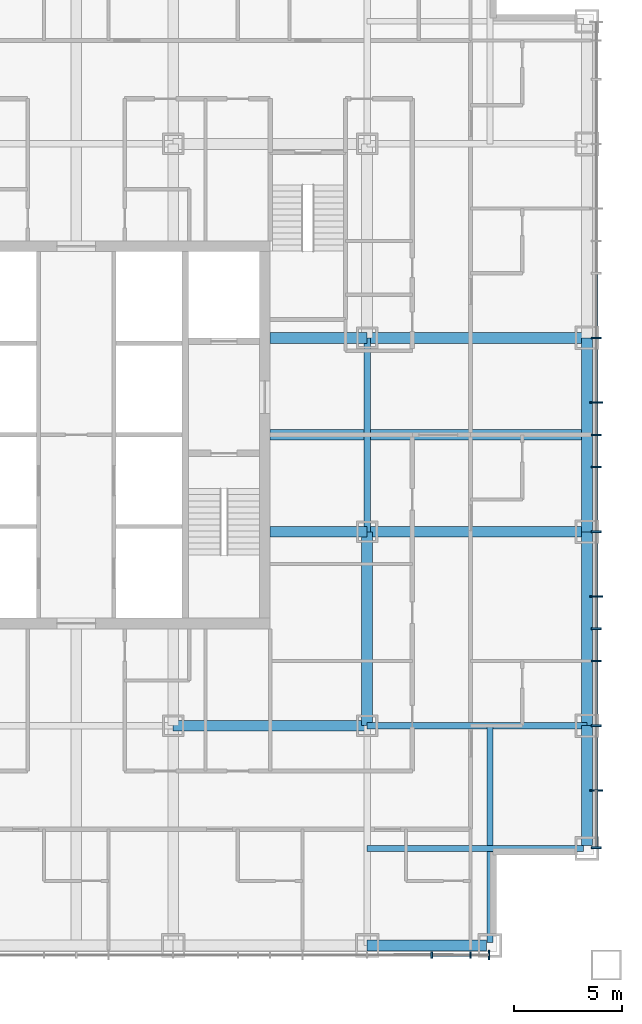
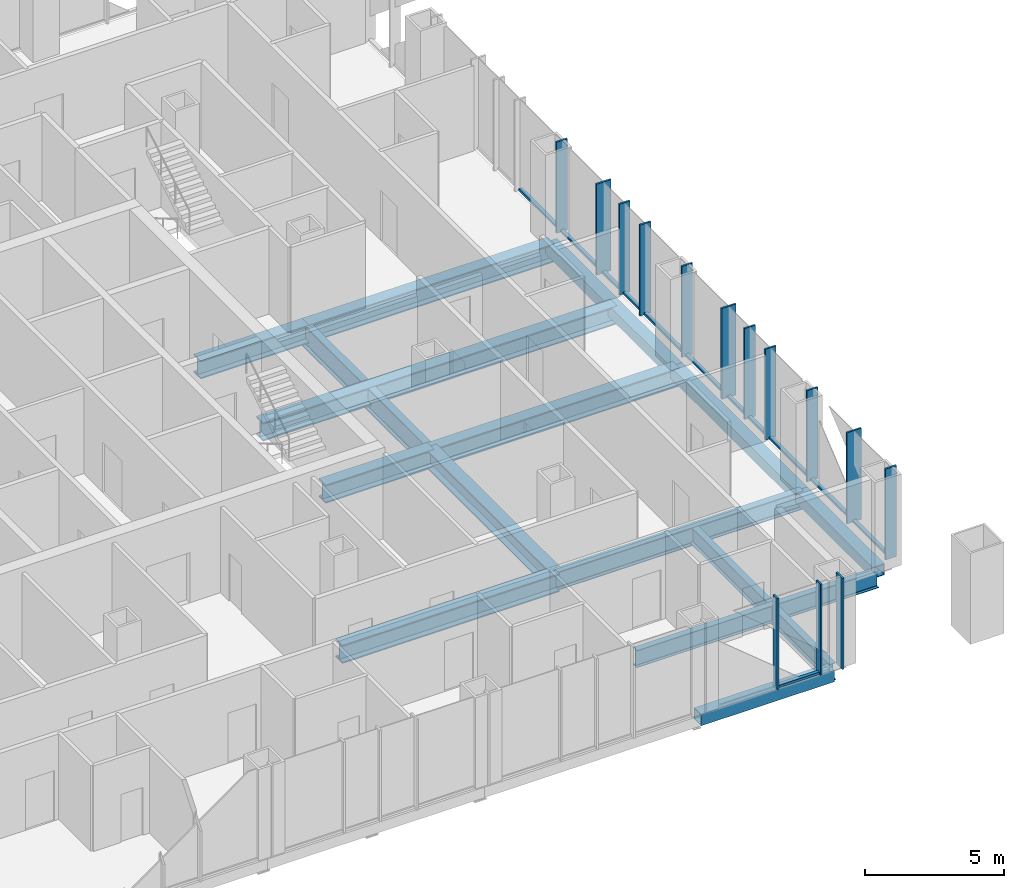
# One storey, part 4 of 13: 26 members, 15 beams, 2 elements without a shape of their own.
"""IFC4 building model written with IfcOpenShell, lengths in metres."""

import ifcopenshell
import ifcopenshell.guid

model = None  # the IFC model being written
_history = None  # IfcOwnerHistory: only IFC2X3 demands one
_inside = {}  # id of a spatial element -> (the spatial element, [elements in it])
_under = {}  # id of a project, library or spatial element -> (it, [spatial elements below it])
_declared = {}  # id of a project -> (the project, [libraries it declares])
_typed = {}  # id of a type object -> (the type object, [elements of that type])
_made_of = {}  # id of a material, layer set ... -> (it, [elements and type objects made of it])


def new_model(schema):
    """Start an empty IFC model of exactly this schema.

    Asked for "IFC4X3", IfcOpenShell would pick the latest addendum, in which some entities
    have other attributes; the version numbers below select the first issue.
    IFC2X3 requires an IfcOwnerHistory on every rooted entity: one is made here for all.
    """
    global model, _history
    if schema == "IFC4X3":
        model = ifcopenshell.file(schema_version=(4, 3, 0, 0))
    else:
        model = ifcopenshell.file(schema=schema)
    _inside.clear()
    _under.clear()
    _declared.clear()
    _typed.clear()
    _made_of.clear()
    _history = None
    if model.schema == "IFC2X3":
        org = make("IfcOrganization", Name="unknown")
        user = make(
            "IfcPersonAndOrganization",
            ThePerson=make("IfcPerson", FamilyName="unknown"),
            TheOrganization=org,
        )
        app = make(
            "IfcApplication",
            ApplicationDeveloper=org,
            Version="unknown",
            ApplicationFullName="unknown",
            ApplicationIdentifier="unknown",
        )
        _history = make(
            "IfcOwnerHistory",
            OwningUser=user,
            OwningApplication=app,
            ChangeAction="ADDED",
            CreationDate=0,
        )
    return model


def make(cls, **values):
    """One entity of the class cls with the attributes given. An attribute that is None is left unset."""
    return model.create_entity(
        cls, **{name: value for name, value in values.items() if value is not None}
    )


def rooted(cls, **values):
    """An entity with a GlobalId (a new one), such as an element, a storey or a relation."""
    return make(cls, GlobalId=ifcopenshell.guid.new(), OwnerHistory=_history, **values)


def si_unit(unit_type, name, prefix=None):
    """IfcSIUnit, for example si_unit("LENGTHUNIT", "METRE", prefix="MILLI")."""
    return make("IfcSIUnit", UnitType=unit_type, Prefix=prefix, Name=name)


def assignment(units):
    """IfcUnitAssignment: the units of a project."""
    return None if units is None else make("IfcUnitAssignment", Units=units)


def point(xyz):
    """IfcCartesianPoint."""
    return None if xyz is None else make("IfcCartesianPoint", Coordinates=xyz)


def direction(xyz):
    """IfcDirection."""
    return None if xyz is None else make("IfcDirection", DirectionRatios=xyz)


def frame(location, z_axis=None, x_axis=None):
    """IfcAxis2Placement3D, a coordinate frame: its origin and axes. An axis left out is left unset."""
    return make(
        "IfcAxis2Placement3D",
        Location=point(location),
        Axis=direction(z_axis),
        RefDirection=direction(x_axis),
    )


def frame_2d(location, x_axis=None):
    """IfcAxis2Placement2D, a coordinate frame in the plane: its origin and x axis."""
    return make(
        "IfcAxis2Placement2D", Location=point(location), RefDirection=direction(x_axis)
    )


def origin():
    """The frame at (0, 0, 0) with its axes left unset."""
    return frame((0.0, 0.0, 0.0))


def origin_2d():
    """The frame at (0, 0) in the plane with its x axis left unset."""
    return frame_2d((0.0, 0.0))


def place(relative_to, where):
    """IfcLocalPlacement: puts the frame where relative to a parent placement (None: the world)."""
    return make(
        "IfcLocalPlacement", PlacementRelTo=relative_to, RelativePlacement=where
    )


def context(
    kind, dimensions, precision=None, world=None, true_north=None, identifier=None
):
    """IfcGeometricRepresentationContext, for example the 3D "Model" context."""
    return make(
        "IfcGeometricRepresentationContext",
        ContextIdentifier=identifier,
        ContextType=kind,
        CoordinateSpaceDimension=dimensions,
        Precision=precision,
        WorldCoordinateSystem=world,
        TrueNorth=true_north,
    )


def subcontext(parent, identifier, kind, view, scale=None):
    """IfcGeometricRepresentationSubContext, for example "Body" below "Model"."""
    return make(
        "IfcGeometricRepresentationSubContext",
        ContextIdentifier=identifier,
        ContextType=kind,
        ParentContext=parent,
        TargetScale=scale,
        TargetView=view,
    )


def project(units=None, contexts=None):
    """IfcProject with its units and contexts."""
    return rooted(
        "IfcProject",
        Name="project",
        RepresentationContexts=contexts,
        UnitsInContext=assignment(units),
    )


def spatial(cls, under=None, at=None, **own):
    """A site, building, storey or space (cls), placed at a placement, below another one or the project."""
    s = rooted(cls, ObjectPlacement=at, **own)
    if under is not None:
        _under.setdefault(under.id(), (under, []))[1].append(s)
    return s


def profile(cls, at=None, kind="AREA", **sizes):
    """A parametric profile (cls). Its sizes go by their IFC names, for example OverallWidth=200.0."""
    return make(cls, ProfileType=kind, Position=at, **sizes)


def rectangle(**sizes):
    """IfcRectangleProfileDef."""
    return profile("IfcRectangleProfileDef", **sizes)


def hollow_rectangle(**sizes):
    """IfcRectangleHollowProfileDef."""
    return profile("IfcRectangleHollowProfileDef", **sizes)


def i_section(**sizes):
    """IfcIShapeProfileDef."""
    return profile("IfcIShapeProfileDef", **sizes)


def extrude(swept, where, along, depth):
    """IfcExtrudedAreaSolid: the profile swept, set in the frame where, extruded along a direction by depth."""
    return make(
        "IfcExtrudedAreaSolid",
        SweptArea=swept,
        Position=where,
        ExtrudedDirection=direction(along),
        Depth=depth,
    )


def shape(context_of_items, identifier, shape_type, items):
    """IfcShapeRepresentation: the items that make up one representation, for example the "Body"."""
    return make(
        "IfcShapeRepresentation",
        ContextOfItems=context_of_items,
        RepresentationIdentifier=identifier,
        RepresentationType=shape_type,
        Items=items,
    )


def material(Name=None, Category=None):
    """IfcMaterial."""
    return make("IfcMaterial", Name=Name, Category=Category)


def layer(
    of_material, thickness, ventilated=None, Name=None, Category=None, Priority=None
):
    """IfcMaterialLayer: one layer of a wall or slab, of a material (None: an air gap)."""
    return make(
        "IfcMaterialLayer",
        Material=of_material,
        LayerThickness=thickness,
        IsVentilated=ventilated,
        Name=Name,
        Category=Category,
        Priority=Priority,
    )


def layer_set(layers, Name=None):
    """IfcMaterialLayerSet."""
    return make("IfcMaterialLayerSet", MaterialLayers=layers, LayerSetName=Name)


def material_profile(
    of_material, cross_section, Name=None, Category=None, Priority=None
):
    """IfcMaterialProfile: a cross section and its material."""
    return make(
        "IfcMaterialProfile",
        Name=Name,
        Material=of_material,
        Profile=cross_section,
        Priority=Priority,
        Category=Category,
    )


def profile_set(profiles, Name=None, composite=None):
    """IfcMaterialProfileSet."""
    return make(
        "IfcMaterialProfileSet",
        Name=Name,
        MaterialProfiles=profiles,
        CompositeProfile=composite,
    )


def made_of(thing, what):
    """Note that an element or type object is made of a material, layer set ...; save() writes the relation."""
    if what is not None:
        _made_of.setdefault(what.id(), (what, []))[1].append(thing)
    return thing


def type_object(cls, material=None, **own):
    """A type object (cls), such as IfcWallType, which elements share."""
    return made_of(rooted(cls, **own), material)


def element(
    cls,
    number,
    at=None,
    inside=None,
    cuts=None,
    type_object=None,
    material=None,
    context=None,
    identifier="Body",
    shape_type=None,
    held_by="IfcProductDefinitionShape",
    body=None,
    shapes=None,
    **own,
):
    """One element of the class cls, such as IfcWall. Its Tag is "e" and its number.

    at: its placement. inside: the storey or other place that contains it. cuts: it is an
    opening in that element (IfcRelVoidsElement). A single representation is given by context,
    identifier, shape_type and body (its items); several are given by shapes. held_by: the class
    of the entity that holds the representations. save() writes the other relations.
    """
    e = rooted(cls, Tag="e%d" % number, ObjectPlacement=at, **own)
    if body is not None:
        shapes = [shape(context, identifier, shape_type, body)]
    if shapes is not None:
        e.Representation = make(held_by, Representations=shapes)
    if inside is not None:
        _inside.setdefault(inside.id(), (inside, []))[1].append(e)
    if cuts is not None:
        rooted(
            "IfcRelVoidsElement", RelatingBuildingElement=cuts, RelatedOpeningElement=e
        )
    if type_object is not None:
        _typed.setdefault(type_object.id(), (type_object, []))[1].append(e)
    return made_of(e, material)


def aggregate(whole, parts):
    """IfcRelAggregates: a whole, such as a stair, and the parts it consists of."""
    return rooted("IfcRelAggregates", RelatingObject=whole, RelatedObjects=parts)


def save(model, path):
    """Write the relations noted so far, then the file.

    IfcRelAggregates (storeys below a building ...), IfcRelContainedInSpatialStructure (elements
    in a storey), IfcRelDefinesByType, IfcRelAssociatesMaterial and IfcRelDeclares: one each for
    every whole, place, type object, material and project.
    """
    for whole, parts in _under.values():
        aggregate(whole, parts)
    for where, things in _inside.values():
        rooted(
            "IfcRelContainedInSpatialStructure",
            RelatedElements=things,
            RelatingStructure=where,
        )
    for kind, things in _typed.values():
        rooted("IfcRelDefinesByType", RelatedObjects=things, RelatingType=kind)
    for what, things in _made_of.values():
        rooted("IfcRelAssociatesMaterial", RelatedObjects=things, RelatingMaterial=what)
    for by, libraries in _declared.values():
        rooted("IfcRelDeclares", RelatingContext=by, RelatedDefinitions=libraries)
    model.write(path)


model = new_model("IFC4")

# Units and contexts
model_context = context("Model", 3, precision=1e-05, world=origin(), true_north=direction((0.0, 1.0)))
body_context = subcontext(model_context, "Body", "Model", "MODEL_VIEW")
ifc_project = project(units=[si_unit("LENGTHUNIT", "METRE"), si_unit("AREAUNIT", "SQUARE_METRE"), si_unit("VOLUMEUNIT", "CUBIC_METRE"), si_unit("PLANEANGLEUNIT", "RADIAN"), si_unit("MASSUNIT", "GRAM", prefix="KILO")], contexts=[model_context])

# Site, building, storey
site_placement = place(None, origin())
site = spatial("IfcSite", under=ifc_project, at=site_placement, CompositionType="ELEMENT")
building_placement = place(site_placement, origin())
building = spatial("IfcBuilding", under=site, at=building_placement, Name="Malebo Sky Hospital", CompositionType="ELEMENT")
storey_placement = place(building_placement, frame((0.0, 0.0, 104.0)))
storey = spatial("IfcBuildingStorey", under=building, at=storey_placement, Name="L24", CompositionType="ELEMENT", Elevation=104.0)

# Curtain wall, member
ifc_material_1 = material(Name="Anodised aluminium, natural silver", Category="aluminium")
ifc_layer_1 = layer(ifc_material_1, 0.25)
ifc_layer_set_1 = layer_set([ifc_layer_1], Name="WARD CURTAIN WALL NORTH AND SOUTH")
curtain_wall_type_1 = type_object("IfcCurtainWallType", Name="WARD CURTAIN WALL NORTH AND SOUTH", PredefinedType="NOTDEFINED", material=ifc_layer_set_1)
curtain_wall_1_placement = place(storey_placement, origin())
curtain_wall_1 = element("IfcCurtainWall", 1, at=curtain_wall_1_placement, inside=storey, type_object=curtain_wall_type_1, Name="NS curtain wall S", PredefinedType="NOTDEFINED")
ifc_material_profile_1 = material_profile(ifc_material_1, rectangle(XDim=0.14990234375, YDim=0.10009765625, at=origin_2d()), Name="ALUMINIUM TRANSOM 150x100")
ifc_profile_set_1 = profile_set([ifc_material_profile_1], Name="Anodised aluminium, natural silver")
member_type_1 = type_object("IfcMemberType", Name="ALUMINIUM TRANSOM 150x100", PredefinedType="USERDEFINED", material=ifc_profile_set_1)
member_1_placement = place(storey_placement, frame((78.262451171875, 37.864990234375, 0.050048828125), z_axis=(-1.0, 0.0, 0.0), x_axis=(0.0, -1.0, 0.0)))
member_1 = element("IfcMember", 2, at=member_1_placement, type_object=member_type_1, Name="Transom 2", ObjectType="TRANSOM", PredefinedType="USERDEFINED", context=body_context, shape_type="SweptSolid", body=[
    extrude(rectangle(XDim=0.14990234375, YDim=0.10009765625, at=origin_2d()), origin(), (0.0, 0.0, 1.0), 1.724853515625),
])

# Curtain wall, members
ifc_layer_2 = layer(ifc_material_1, 0.25)
ifc_layer_set_2 = layer_set([ifc_layer_2], Name="WARD CURTAIN WALL EAST AND WEST")
curtain_wall_type_2 = type_object("IfcCurtainWallType", Name="WARD CURTAIN WALL EAST AND WEST", PredefinedType="NOTDEFINED", material=ifc_layer_set_2)
curtain_wall_2_placement = place(storey_placement, origin())
curtain_wall_2 = element("IfcCurtainWall", 3, at=curtain_wall_2_placement, inside=storey, type_object=curtain_wall_type_2, Name="EW curtain wall E", PredefinedType="NOTDEFINED")
member_2_placement = place(storey_placement, frame((84.135009765625, 69.46240234375, 0.050048828125), z_axis=(0.0, -1.0, 0.0), x_axis=(1.0, 0.0, 0.0)))
member_2 = element("IfcMember", 4, at=member_2_placement, type_object=member_type_1, Name="Transom 7", ObjectType="TRANSOM", PredefinedType="USERDEFINED", context=body_context, shape_type="SweptSolid", body=[
    extrude(rectangle(XDim=0.14990234375, YDim=0.10009765625, at=origin_2d()), origin(), (0.0, 0.0, 1.0), 2.9248046875),
])
member_3_placement = place(storey_placement, frame((84.135009765625, 66.46240234375, 0.050048828125), z_axis=(0.0, -1.0, 0.0), x_axis=(1.0, 0.0, 0.0)))
member_3 = element("IfcMember", 5, at=member_3_placement, type_object=member_type_1, Name="Transom 8", ObjectType="TRANSOM", PredefinedType="USERDEFINED", context=body_context, shape_type="SweptSolid", body=[
    extrude(rectangle(XDim=0.14990234375, YDim=0.10009765625, at=origin_2d()), origin(), (0.0, 0.0, 1.0), 2.9248046875),
])
member_4_placement = place(storey_placement, frame((84.135009765625, 63.46240234375, 0.050048828125), z_axis=(0.0, -1.0, 0.0), x_axis=(1.0, 0.0, 0.0)))
member_4 = element("IfcMember", 6, at=member_4_placement, type_object=member_type_1, Name="Transom 9", ObjectType="TRANSOM", PredefinedType="USERDEFINED", context=body_context, shape_type="SweptSolid", body=[
    extrude(rectangle(XDim=0.14990234375, YDim=0.10009765625, at=origin_2d()), origin(), (0.0, 0.0, 1.0), 1.4248046875),
])
member_5_placement = place(storey_placement, frame((84.135009765625, 61.96240234375, 0.050048828125), z_axis=(0.0, -1.0, 0.0), x_axis=(1.0, 0.0, 0.0)))
member_5 = element("IfcMember", 7, at=member_5_placement, type_object=member_type_1, Name="Transom 10", ObjectType="TRANSOM", PredefinedType="USERDEFINED", context=body_context, shape_type="SweptSolid", body=[
    extrude(rectangle(XDim=0.14990234375, YDim=0.10009765625, at=origin_2d()), origin(), (0.0, 0.0, 1.0), 1.4248046875),
])
member_6_placement = place(storey_placement, frame((84.135009765625, 60.46240234375, 0.050048828125), z_axis=(0.0, -1.0, 0.0), x_axis=(1.0, 0.0, 0.0)))
member_6 = element("IfcMember", 8, at=member_6_placement, type_object=member_type_1, Name="Transom 11", ObjectType="TRANSOM", PredefinedType="USERDEFINED", context=body_context, shape_type="SweptSolid", body=[
    extrude(rectangle(XDim=0.14990234375, YDim=0.10009765625, at=origin_2d()), origin(), (0.0, 0.0, 1.0), 2.9248046875),
])
member_7_placement = place(storey_placement, frame((84.135009765625, 57.46240234375, 0.050048828125), z_axis=(0.0, -1.0, 0.0), x_axis=(1.0, 0.0, 0.0)))
member_7 = element("IfcMember", 9, at=member_7_placement, type_object=member_type_1, Name="Transom 12", ObjectType="TRANSOM", PredefinedType="USERDEFINED", context=body_context, shape_type="SweptSolid", body=[
    extrude(rectangle(XDim=0.14990234375, YDim=0.10009765625, at=origin_2d()), origin(), (0.0, 0.0, 1.0), 2.9248046875),
])
member_8_placement = place(storey_placement, frame((84.135009765625, 54.46240234375, 0.050048828125), z_axis=(0.0, -1.0, 0.0), x_axis=(1.0, 0.0, 0.0)))
member_8 = element("IfcMember", 10, at=member_8_placement, type_object=member_type_1, Name="Transom 13", ObjectType="TRANSOM", PredefinedType="USERDEFINED", context=body_context, shape_type="SweptSolid", body=[
    extrude(rectangle(XDim=0.14990234375, YDim=0.10009765625, at=origin_2d()), origin(), (0.0, 0.0, 1.0), 1.4248046875),
])
member_9_placement = place(storey_placement, frame((84.135009765625, 52.96240234375, 0.050048828125), z_axis=(0.0, -1.0, 0.0), x_axis=(1.0, 0.0, 0.0)))
member_9 = element("IfcMember", 11, at=member_9_placement, type_object=member_type_1, Name="Transom 14", ObjectType="TRANSOM", PredefinedType="USERDEFINED", context=body_context, shape_type="SweptSolid", body=[
    extrude(rectangle(XDim=0.14990234375, YDim=0.10009765625, at=origin_2d()), origin(), (0.0, 0.0, 1.0), 1.4248046875),
])
member_10_placement = place(storey_placement, frame((84.135009765625, 51.46240234375, 0.050048828125), z_axis=(0.0, -1.0, 0.0), x_axis=(1.0, 0.0, 0.0)))
member_10 = element("IfcMember", 12, at=member_10_placement, type_object=member_type_1, Name="Transom 15", ObjectType="TRANSOM", PredefinedType="USERDEFINED", context=body_context, shape_type="SweptSolid", body=[
    extrude(rectangle(XDim=0.14990234375, YDim=0.10009765625, at=origin_2d()), origin(), (0.0, 0.0, 1.0), 2.9248046875),
])
member_11_placement = place(storey_placement, frame((84.135009765625, 48.46240234375, 0.050048828125), z_axis=(0.0, -1.0, 0.0), x_axis=(1.0, 0.0, 0.0)))
member_11 = element("IfcMember", 13, at=member_11_placement, type_object=member_type_1, Name="Transom 16", ObjectType="TRANSOM", PredefinedType="USERDEFINED", context=body_context, shape_type="SweptSolid", body=[
    extrude(rectangle(XDim=0.14990234375, YDim=0.10009765625, at=origin_2d()), origin(), (0.0, 0.0, 1.0), 2.9248046875),
])
member_12_placement = place(storey_placement, frame((84.135009765625, 45.46240234375, 0.050048828125), z_axis=(0.0, -1.0, 0.0), x_axis=(1.0, 0.0, 0.0)))
member_12 = element("IfcMember", 14, at=member_12_placement, type_object=member_type_1, Name="Transom 17", ObjectType="TRANSOM", PredefinedType="USERDEFINED", context=body_context, shape_type="SweptSolid", body=[
    extrude(rectangle(XDim=0.14990234375, YDim=0.10009765625, at=origin_2d()), origin(), (0.0, 0.0, 1.0), 2.58740234375),
])

# Member
ifc_material_profile_2 = material_profile(ifc_material_1, rectangle(XDim=0.074951171875, YDim=0.300048828125, at=origin_2d()), Name="CW1 ALUMINIUM FIN MULLION 75x300")
ifc_profile_set_2 = profile_set([ifc_material_profile_2], Name="Anodised aluminium, natural silver")
member_type_2 = type_object("IfcMemberType", Name="CW1 ALUMINIUM FIN MULLION 75x300", PredefinedType="MULLION", material=ifc_profile_set_2)
member_13_placement = place(storey_placement, frame((78.300048828125, 37.864990234375, 0.0), z_axis=(0.0, 0.0, 1.0), x_axis=(-1.0, 0.0, 0.0)))
member_13 = element("IfcMember", 15, at=member_13_placement, type_object=member_type_2, Name="Fin mullion 2", PredefinedType="MULLION", context=body_context, shape_type="SweptSolid", body=[
    extrude(rectangle(XDim=0.074951171875, YDim=0.300048828125, at=origin_2d()), origin(), (0.0, 0.0, 1.0), 4.0),
])

member_14_placement = place(storey_placement, frame((76.5, 37.864990234375, 0.0), z_axis=(0.0, 0.0, 1.0), x_axis=(-1.0, 0.0, 0.0)))
member_14 = element("IfcMember", 16, at=member_14_placement, type_object=member_type_2, Name="Fin mullion 3", PredefinedType="MULLION", context=body_context, shape_type="SweptSolid", body=[
    extrude(rectangle(XDim=0.074951171875, YDim=0.300048828125, at=origin_2d()), origin(), (0.0, 0.0, 1.0), 4.0),
])

ifc_material_profile_3 = material_profile(ifc_material_1, rectangle(XDim=0.074951171875, YDim=0.449951171875, at=origin_2d()), Name="CW1 ALUMINIUM FIN MULLION 75x450")
ifc_profile_set_3 = profile_set([ifc_material_profile_3], Name="Anodised aluminium, natural silver")
member_type_3 = type_object("IfcMemberType", Name="CW1 ALUMINIUM FIN MULLION 75x450", PredefinedType="MULLION", material=ifc_profile_set_3)
member_15_placement = place(storey_placement, frame((79.16259765625, 37.864990234375, 0.0), z_axis=(0.0, 0.0, 1.0), x_axis=(-1.0, 0.0, 0.0)))
member_15 = element("IfcMember", 17, at=member_15_placement, type_object=member_type_3, Name="Fin mullion 1", PredefinedType="MULLION", context=body_context, shape_type="SweptSolid", body=[
    extrude(rectangle(XDim=0.074951171875, YDim=0.449951171875, at=origin_2d()), origin(), (0.0, 0.0, 1.0), 4.0),
])

aggregate(curtain_wall_1, [member_15, member_13, member_14, member_1])

ifc_material_profile_4 = material_profile(ifc_material_1, rectangle(XDim=0.074951171875, YDim=0.449951171875, at=origin_2d()), Name="CW2 ALUMINIUM FIN MULLION 75x450")
ifc_profile_set_4 = profile_set([ifc_material_profile_4], Name="Anodised aluminium, natural silver")
member_type_4 = type_object("IfcMemberType", Name="CW2 ALUMINIUM FIN MULLION 75x450", PredefinedType="MULLION", material=ifc_profile_set_4)
member_16_placement = place(storey_placement, frame((84.135009765625, 66.5, 0.0), z_axis=(0.0, 0.0, 1.0), x_axis=(0.0, -1.0, 0.0)))
member_16 = element("IfcMember", 18, at=member_16_placement, type_object=member_type_4, Name="Fin mullion 8", PredefinedType="MULLION", context=body_context, shape_type="SweptSolid", body=[
    extrude(rectangle(XDim=0.074951171875, YDim=0.449951171875, at=origin_2d()), origin(), (0.0, 0.0, 1.0), 4.0),
])

member_17_placement = place(storey_placement, frame((84.135009765625, 62.0, 0.0), z_axis=(0.0, 0.0, 1.0), x_axis=(0.0, -1.0, 0.0)))
member_17 = element("IfcMember", 19, at=member_17_placement, type_object=member_type_4, Name="Fin mullion 10", PredefinedType="MULLION", context=body_context, shape_type="SweptSolid", body=[
    extrude(rectangle(XDim=0.074951171875, YDim=0.449951171875, at=origin_2d()), origin(), (0.0, 0.0, 1.0), 4.0),
])

member_18_placement = place(storey_placement, frame((84.135009765625, 60.5, 0.0), z_axis=(0.0, 0.0, 1.0), x_axis=(0.0, -1.0, 0.0)))
member_18 = element("IfcMember", 20, at=member_18_placement, type_object=member_type_4, Name="Fin mullion 11", PredefinedType="MULLION", context=body_context, shape_type="SweptSolid", body=[
    extrude(rectangle(XDim=0.074951171875, YDim=0.449951171875, at=origin_2d()), origin(), (0.0, 0.0, 1.0), 4.0),
])

member_19_placement = place(storey_placement, frame((84.135009765625, 57.5, 0.0), z_axis=(0.0, 0.0, 1.0), x_axis=(0.0, -1.0, 0.0)))
member_19 = element("IfcMember", 21, at=member_19_placement, type_object=member_type_4, Name="Fin mullion 12", PredefinedType="MULLION", context=body_context, shape_type="SweptSolid", body=[
    extrude(rectangle(XDim=0.074951171875, YDim=0.449951171875, at=origin_2d()), origin(), (0.0, 0.0, 1.0), 4.0),
])

member_20_placement = place(storey_placement, frame((84.135009765625, 53.0, 0.0), z_axis=(0.0, 0.0, 1.0), x_axis=(0.0, -1.0, 0.0)))
member_20 = element("IfcMember", 22, at=member_20_placement, type_object=member_type_4, Name="Fin mullion 14", PredefinedType="MULLION", context=body_context, shape_type="SweptSolid", body=[
    extrude(rectangle(XDim=0.074951171875, YDim=0.449951171875, at=origin_2d()), origin(), (0.0, 0.0, 1.0), 4.0),
])

member_21_placement = place(storey_placement, frame((84.135009765625, 51.5, 0.0), z_axis=(0.0, 0.0, 1.0), x_axis=(0.0, -1.0, 0.0)))
member_21 = element("IfcMember", 23, at=member_21_placement, type_object=member_type_4, Name="Fin mullion 15", PredefinedType="MULLION", context=body_context, shape_type="SweptSolid", body=[
    extrude(rectangle(XDim=0.074951171875, YDim=0.449951171875, at=origin_2d()), origin(), (0.0, 0.0, 1.0), 4.0),
])

member_22_placement = place(storey_placement, frame((84.135009765625, 48.5, 0.0), z_axis=(0.0, 0.0, 1.0), x_axis=(0.0, -1.0, 0.0)))
member_22 = element("IfcMember", 24, at=member_22_placement, type_object=member_type_4, Name="Fin mullion 16", PredefinedType="MULLION", context=body_context, shape_type="SweptSolid", body=[
    extrude(rectangle(XDim=0.074951171875, YDim=0.449951171875, at=origin_2d()), origin(), (0.0, 0.0, 1.0), 4.0),
])

member_23_placement = place(storey_placement, frame((84.135009765625, 42.83740234375, 0.0), z_axis=(0.0, 0.0, 1.0), x_axis=(0.0, -1.0, 0.0)))
member_23 = element("IfcMember", 25, at=member_23_placement, type_object=member_type_4, Name="Fin mullion 18", PredefinedType="MULLION", context=body_context, shape_type="SweptSolid", body=[
    extrude(rectangle(XDim=0.074951171875, YDim=0.449951171875, at=origin_2d()), origin(), (0.0, 0.0, 1.0), 4.0),
])

ifc_material_profile_5 = material_profile(ifc_material_1, rectangle(XDim=0.074951171875, YDim=0.60009765625, at=origin_2d()), Name="CW2 ALUMINIUM FIN MULLION 75x600")
ifc_profile_set_5 = profile_set([ifc_material_profile_5], Name="Anodised aluminium, natural silver")
member_type_5 = type_object("IfcMemberType", Name="CW2 ALUMINIUM FIN MULLION 75x600", PredefinedType="MULLION", material=ifc_profile_set_5)
member_24_placement = place(storey_placement, frame((84.135009765625, 63.5, 0.0), z_axis=(0.0, 0.0, 1.0), x_axis=(0.0, -1.0, 0.0)))
member_24 = element("IfcMember", 26, at=member_24_placement, type_object=member_type_5, Name="Fin mullion 9", PredefinedType="MULLION", context=body_context, shape_type="SweptSolid", body=[
    extrude(rectangle(XDim=0.074951171875, YDim=0.60009765625, at=origin_2d()), origin(), (0.0, 0.0, 1.0), 4.0),
])

member_25_placement = place(storey_placement, frame((84.135009765625, 54.5, 0.0), z_axis=(0.0, 0.0, 1.0), x_axis=(0.0, -1.0, 0.0)))
member_25 = element("IfcMember", 27, at=member_25_placement, type_object=member_type_5, Name="Fin mullion 13", PredefinedType="MULLION", context=body_context, shape_type="SweptSolid", body=[
    extrude(rectangle(XDim=0.074951171875, YDim=0.60009765625, at=origin_2d()), origin(), (0.0, 0.0, 1.0), 4.0),
])

member_26_placement = place(storey_placement, frame((84.135009765625, 45.5, 0.0), z_axis=(0.0, 0.0, 1.0), x_axis=(0.0, -1.0, 0.0)))
member_26 = element("IfcMember", 28, at=member_26_placement, type_object=member_type_5, Name="Fin mullion 17", PredefinedType="MULLION", context=body_context, shape_type="SweptSolid", body=[
    extrude(rectangle(XDim=0.074951171875, YDim=0.60009765625, at=origin_2d()), origin(), (0.0, 0.0, 1.0), 4.0),
])

aggregate(curtain_wall_2, [member_16, member_24, member_17, member_18, member_19, member_25, member_20, member_21, member_22, member_26, member_23, member_2, member_3, member_4, member_5, member_6, member_7, member_8, member_9, member_10, member_11, member_12])

# Beams
ifc_material_2 = material(Name="Steel S460", Category="steel")
ifc_material_profile_6 = material_profile(ifc_material_2, hollow_rectangle(XDim=0.5, YDim=0.5, WallThickness=0.030029296875, at=origin_2d()), Name="BOX 500x500x30")
ifc_profile_set_6 = profile_set([ifc_material_profile_6], Name="Steel S460")
beam_type_1 = type_object("IfcBeamType", Name="EDGE BEAM BOX 500x500x30", PredefinedType="BEAM", material=ifc_profile_set_6)
beam_1_placement = place(storey_placement, frame((83.699951171875, 42.949951171875, -0.5), z_axis=(0.0, 1.0, 0.0), x_axis=(-1.0, 0.0, 0.0)))
element("IfcBeam", 29, at=beam_1_placement, inside=storey, type_object=beam_type_1, Name="Beam 029 L24", PredefinedType="BEAM", context=body_context, shape_type="SweptSolid", body=[
    extrude(hollow_rectangle(XDim=0.5, YDim=0.5, WallThickness=0.030029296875, at=origin_2d()), origin(), (0.0, 0.0, 1.0), 5.550048828125),
])
for number, where, z_axis, x_axis, name in (
    (30, (83.699951171875, 48.5, -0.5), (0.0, 1.0, 0.0), (-1.0, 0.0, 0.0), "Beam 030 L24"),
    (31, (83.699951171875, 57.5, -0.5), (0.0, 1.0, 0.0), (-1.0, 0.0, 0.0), "Beam 031 L24"),
):
    element("IfcBeam", number, at=place(storey_placement, frame(where, z_axis=z_axis, x_axis=x_axis)), inside=storey, type_object=beam_type_1, Name=name, PredefinedType="BEAM", context=body_context, shape_type="SweptSolid", body=[
        extrude(hollow_rectangle(XDim=0.5, YDim=0.5, WallThickness=0.030029296875, at=origin_2d()), origin(), (0.0, 0.0, 1.0), 9.0),
    ])
beam_2_placement = place(storey_placement, frame((73.5, 38.300048828125, -0.5), z_axis=(1.0, 0.0, 0.0), x_axis=(0.0, 1.0, 0.0)))
element("IfcBeam", 32, at=beam_2_placement, inside=storey, type_object=beam_type_1, Name="Beam 038 L24", PredefinedType="BEAM", context=body_context, shape_type="SweptSolid", body=[
    extrude(hollow_rectangle(XDim=0.5, YDim=0.5, WallThickness=0.030029296875, at=origin_2d()), origin(), (0.0, 0.0, 1.0), 5.550048828125),
])
ifc_material_3 = material(Name="Steel S355", Category="steel")
ifc_material_profile_7 = material_profile(ifc_material_3, i_section(OverallWidth=0.262939453125, OverallDepth=0.7529296875, WebThickness=0.011474609375, FlangeThickness=0.01708984375, FilletRadius=0.01708984375, at=origin_2d()), Name="IPE 750x137")
ifc_profile_set_7 = profile_set([ifc_material_profile_7], Name="Steel S355")
beam_type_2 = type_object("IfcBeamType", Name="FLOOR BEAM IPE 750x137", PredefinedType="BEAM", material=ifc_profile_set_7)
for number, where, z_axis, x_axis, name in (
    (33, (79.199951171875, 38.449951171875, -0.62646484375), (0.0, 1.0, 0.0), (-1.0, 0.0, 0.0), "Beam 027 L24"),
    (34, (73.5, 42.800048828125, -0.62646484375), (1.0, 0.0, 0.0), (0.0, 1.0, 0.0), "Beam 040 L24"),
):
    element("IfcBeam", number, at=place(storey_placement, frame(where, z_axis=z_axis, x_axis=x_axis)), inside=storey, type_object=beam_type_2, Name=name, PredefinedType="BEAM", context=body_context, shape_type="SweptSolid", body=[
        extrude(i_section(OverallWidth=0.262939453125, OverallDepth=0.7529296875, WebThickness=0.011474609375, FlangeThickness=0.01708984375, FilletRadius=0.01708984375, at=origin_2d()), origin(), (0.0, 0.0, 1.0), 10.050048828125),
    ])
ifc_material_profile_8 = material_profile(ifc_material_3, i_section(OverallWidth=0.5, OverallDepth=0.800048828125, WebThickness=0.030029296875, FlangeThickness=0.050048828125, at=origin_2d()), Name="PG 800x500x30x50")
ifc_profile_set_8 = profile_set([ifc_material_profile_8], Name="Steel S355")
beam_type_3 = type_object("IfcBeamType", Name="FLOOR BEAM PG 800x500x30x50", PredefinedType="BEAM", material=ifc_profile_set_8)
for number, where, z_axis, x_axis, name in (
    (35, (73.5, 48.5, -0.64990234375), (0.0, 1.0, 0.0), (-1.0, 0.0, 0.0), "Beam 023 L24"),
    (36, (64.5, 48.5, -0.64990234375), (1.0, 0.0, 0.0), (0.0, 1.0, 0.0), "Beam 044 L24"),
):
    element("IfcBeam", number, at=place(storey_placement, frame(where, z_axis=z_axis, x_axis=x_axis)), inside=storey, type_object=beam_type_3, Name=name, PredefinedType="BEAM", context=body_context, shape_type="SweptSolid", body=[
        extrude(i_section(OverallWidth=0.5, OverallDepth=0.800048828125, WebThickness=0.030029296875, FlangeThickness=0.050048828125, at=origin_2d()), origin(), (0.0, 0.0, 1.0), 9.0),
    ])
beam_3_placement = place(storey_placement, frame((69.0, 57.5, -0.64990234375), z_axis=(1.0, 0.0, 0.0), x_axis=(0.0, 1.0, 0.0)))
element("IfcBeam", 37, at=beam_3_placement, inside=storey, type_object=beam_type_3, Name="Beam 048 L24", PredefinedType="BEAM", context=body_context, shape_type="SweptSolid", body=[
    extrude(i_section(OverallWidth=0.5, OverallDepth=0.800048828125, WebThickness=0.030029296875, FlangeThickness=0.050048828125, at=origin_2d()), origin(), (0.0, 0.0, 1.0), 4.5),
])
beam_4_placement = place(storey_placement, frame((73.5, 57.5, -0.64990234375), z_axis=(1.0, 0.0, 0.0), x_axis=(0.0, 1.0, 0.0)))
element("IfcBeam", 38, at=beam_4_placement, inside=storey, type_object=beam_type_3, Name="Beam 049 L24", PredefinedType="BEAM", context=body_context, shape_type="SweptSolid", body=[
    extrude(i_section(OverallWidth=0.5, OverallDepth=0.800048828125, WebThickness=0.030029296875, FlangeThickness=0.050048828125, at=origin_2d()), origin(), (0.0, 0.0, 1.0), 10.199951171875),
])
beam_5_placement = place(storey_placement, frame((69.0, 62.0, -0.64990234375), z_axis=(1.0, 0.0, 0.0), x_axis=(0.0, 1.0, 0.0)))
element("IfcBeam", 39, at=beam_5_placement, inside=storey, type_object=beam_type_3, Name="Beam 051 L24", PredefinedType="BEAM", context=body_context, shape_type="SweptSolid", body=[
    extrude(i_section(OverallWidth=0.5, OverallDepth=0.800048828125, WebThickness=0.030029296875, FlangeThickness=0.050048828125, at=origin_2d()), origin(), (0.0, 0.0, 1.0), 14.699951171875),
])
beam_6_placement = place(storey_placement, frame((69.0, 66.5, -0.64990234375), z_axis=(1.0, 0.0, 0.0), x_axis=(0.0, 1.0, 0.0)))
element("IfcBeam", 40, at=beam_6_placement, inside=storey, type_object=beam_type_3, Name="Beam 054 L24", PredefinedType="BEAM", context=body_context, shape_type="SweptSolid", body=[
    extrude(i_section(OverallWidth=0.5, OverallDepth=0.800048828125, WebThickness=0.030029296875, FlangeThickness=0.050048828125, at=origin_2d()), origin(), (0.0, 0.0, 1.0), 4.5),
])
beam_7_placement = place(storey_placement, frame((73.5, 66.5, -0.64990234375), z_axis=(1.0, 0.0, 0.0), x_axis=(0.0, 1.0, 0.0)))
element("IfcBeam", 41, at=beam_7_placement, inside=storey, type_object=beam_type_3, Name="Beam 055 L24", PredefinedType="BEAM", context=body_context, shape_type="SweptSolid", body=[
    extrude(i_section(OverallWidth=0.5, OverallDepth=0.800048828125, WebThickness=0.030029296875, FlangeThickness=0.050048828125, at=origin_2d()), origin(), (0.0, 0.0, 1.0), 10.199951171875),
])
ifc_material_profile_9 = material_profile(ifc_material_3, i_section(OverallWidth=0.300048828125, OverallDepth=0.800048828125, WebThickness=0.017578125, FlangeThickness=0.032958984375, FilletRadius=0.030029296875, at=origin_2d()), Name="HEB 800")
ifc_profile_set_9 = profile_set([ifc_material_profile_9], Name="Steel S355")
beam_type_4 = type_object("IfcBeamType", Name="FLOOR GIRDER HEB 800", PredefinedType="BEAM", material=ifc_profile_set_9)
beam_8_placement = place(storey_placement, frame((73.5, 48.5, -0.64990234375), z_axis=(1.0, 0.0, 0.0), x_axis=(0.0, 1.0, 0.0)))
element("IfcBeam", 42, at=beam_8_placement, inside=storey, type_object=beam_type_4, Name="Beam 045 L24", PredefinedType="BEAM", context=body_context, shape_type="SweptSolid", body=[
    extrude(i_section(OverallWidth=0.300048828125, OverallDepth=0.800048828125, WebThickness=0.017578125, FlangeThickness=0.032958984375, FilletRadius=0.030029296875, at=origin_2d()), origin(), (0.0, 0.0, 1.0), 10.199951171875),
])
ifc_material_profile_10 = material_profile(ifc_material_3, i_section(OverallWidth=0.300048828125, OverallDepth=1.0, WebThickness=0.01904296875, FlangeThickness=0.035888671875, FilletRadius=0.030029296875, at=origin_2d()), Name="HEB 1000")
ifc_profile_set_10 = profile_set([ifc_material_profile_10], Name="Steel S355")
beam_type_5 = type_object("IfcBeamType", Name="RING GIRDER HEB 1000", PredefinedType="BEAM", material=ifc_profile_set_10)
beam_9_placement = place(storey_placement, frame((73.5, 57.5, -0.75), z_axis=(0.0, 1.0, 0.0), x_axis=(-1.0, 0.0, 0.0)))
element("IfcBeam", 43, at=beam_9_placement, inside=storey, type_object=beam_type_5, Name="Beam 024 L24", PredefinedType="BEAM", context=body_context, shape_type="SweptSolid", body=[
    extrude(i_section(OverallWidth=0.300048828125, OverallDepth=1.0, WebThickness=0.01904296875, FlangeThickness=0.035888671875, FilletRadius=0.030029296875, at=origin_2d()), origin(), (0.0, 0.0, 1.0), 9.0),
])

save(model, "model.ifc")
